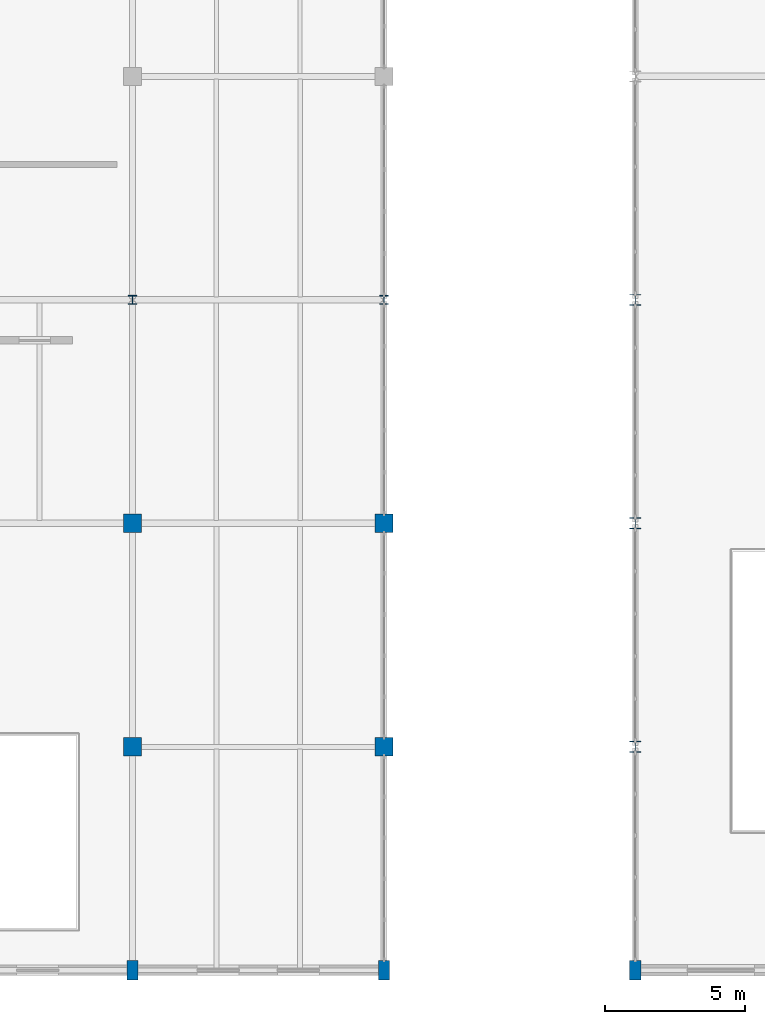
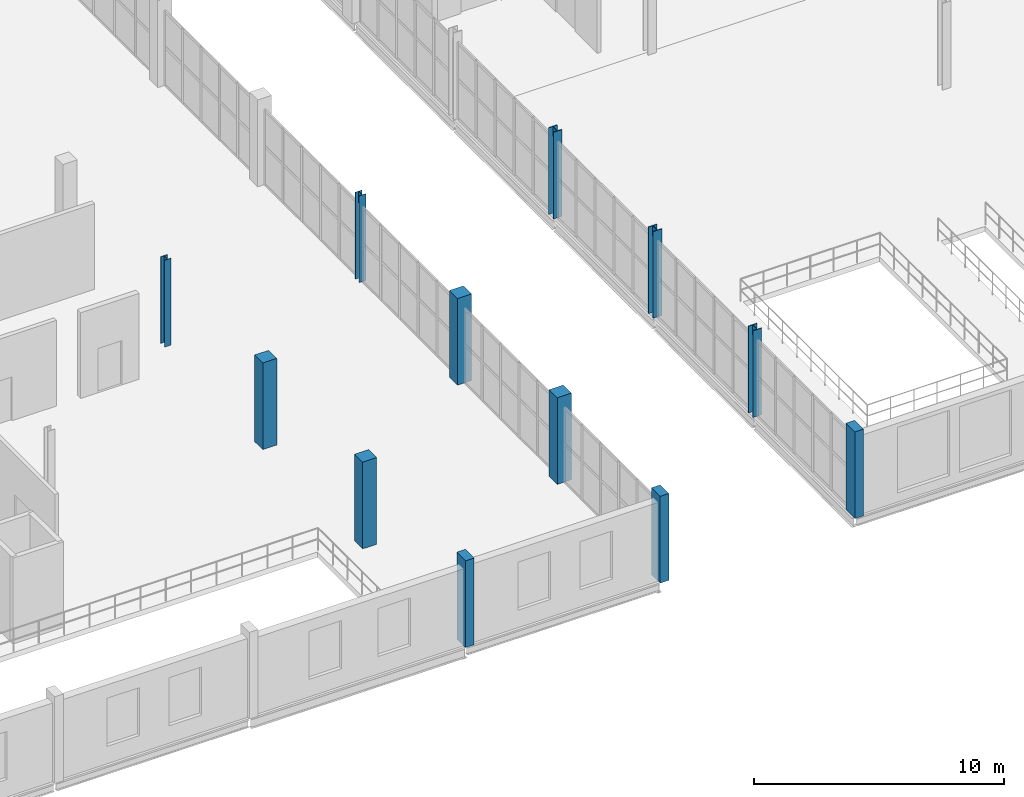
# One storey, part 2 of 85: 12 columns.
"""IFC4 building model written with IfcOpenShell, lengths in metres."""

from ifc_helpers import new_model, si_unit, direction, frame, origin, origin_2d, place, context, subcontext, project, spatial, rectangle, i_section, extrude, material, material_profile, profile_set, type_object, element, save


model = new_model("IFC4")

# Units and contexts
model_context = context("Model", 3, precision=1e-05, world=origin(), true_north=direction((0.0, 1.0)))
body_context = subcontext(model_context, "Body", "Model", "MODEL_VIEW")
ifc_project = project(units=[si_unit("LENGTHUNIT", "METRE"), si_unit("AREAUNIT", "SQUARE_METRE"), si_unit("VOLUMEUNIT", "CUBIC_METRE"), si_unit("PLANEANGLEUNIT", "RADIAN"), si_unit("MASSUNIT", "GRAM", prefix="KILO")], contexts=[model_context])

# Site, building, storey
site_placement = place(None, origin())
site = spatial("IfcSite", under=ifc_project, at=site_placement, CompositionType="ELEMENT")
building_placement = place(site_placement, origin())
building = spatial("IfcBuilding", under=site, at=building_placement, Name="Marnock Terrace Opera House", CompositionType="ELEMENT")
storey_placement = place(building_placement, frame((0.0, 0.0, 10.199951171875)))
storey = spatial("IfcBuildingStorey", under=building, at=storey_placement, Name="L02", CompositionType="ELEMENT", Elevation=10.199951171875)

# Columns
ifc_material_1 = material(Name="Concrete N40 (f'c = 40 MPa)", Category="concrete")
ifc_material_profile_1 = material_profile(ifc_material_1, rectangle(XDim=0.39990234375, YDim=0.699951171875, at=origin_2d()))
ifc_profile_set_1 = profile_set([ifc_material_profile_1], Name="Concrete N40 (f'c = 40 MPa)")
column_type_1 = type_object("IfcColumnType", Name="COL-PIL-700", PredefinedType="PILASTER", material=ifc_profile_set_1)
for number, where, z_axis, x_axis, name in (
    (1, (37.0, 8.0, 0.0), (0.0, 0.0, 1.0), (1.0, 0.0, 0.0), "L02 column at (37.0, 8.0)"),
    (2, (46.0, 8.0, 0.0), (0.0, 0.0, 1.0), (1.0, 0.0, 0.0), "L02 column at (46.0, 8.0)"),
    (3, (55.0, 8.0, 0.0), (0.0, 0.0, 1.0), (1.0, 0.0, 0.0), "L02 column at (55.0, 8.0)"),
):
    element("IfcColumn", number, at=place(storey_placement, frame(where, z_axis=z_axis, x_axis=x_axis)), inside=storey, type_object=column_type_1, Name=name, PredefinedType="PILASTER", context=body_context, shape_type="SweptSolid", body=[
        extrude(rectangle(XDim=0.39990234375, YDim=0.699951171875, at=origin_2d()), origin(), (0.0, 0.0, 1.0), 4.239990234375),
    ])
ifc_material_profile_2 = material_profile(ifc_material_1, rectangle(XDim=0.64990234375, YDim=0.64990234375, at=origin_2d()))
ifc_profile_set_2 = profile_set([ifc_material_profile_2], Name="Concrete N40 (f'c = 40 MPa)")
column_type_2 = type_object("IfcColumnType", Name="COL-RC650", PredefinedType="COLUMN", material=ifc_profile_set_2)
for number, where, z_axis, x_axis, name in (
    (4, (37.0, 16.0, 0.0), (0.0, 0.0, 1.0), (1.0, 0.0, 0.0), "L02 column at (37.0, 16.0)"),
    (5, (37.0, 24.0, 0.0), (0.0, 0.0, 1.0), (1.0, 0.0, 0.0), "L02 column at (37.0, 24.0)"),
    (6, (46.0, 16.0, 0.0), (0.0, 0.0, 1.0), (1.0, 0.0, 0.0), "L02 column at (46.0, 16.0)"),
    (7, (46.0, 24.0, 0.0), (0.0, 0.0, 1.0), (1.0, 0.0, 0.0), "L02 column at (46.0, 24.0)"),
):
    element("IfcColumn", number, at=place(storey_placement, frame(where, z_axis=z_axis, x_axis=x_axis)), inside=storey, type_object=column_type_2, Name=name, PredefinedType="COLUMN", context=body_context, shape_type="SweptSolid", body=[
        extrude(rectangle(XDim=0.64990234375, YDim=0.64990234375, at=origin_2d()), origin(), (0.0, 0.0, 1.0), 4.239990234375),
    ])
ifc_material_2 = material(Name="Steel Grade 350 (AS/NZS 3679.1)", Category="steel")
ifc_material_profile_3 = material_profile(ifc_material_2, i_section(OverallWidth=0.306884765625, OverallDepth=0.314697265625, WebThickness=0.011962890625, FlangeThickness=0.018798828125, FilletRadius=0.0166015625, at=origin_2d()))
ifc_profile_set_3 = profile_set([ifc_material_profile_3], Name="Steel Grade 350 (AS/NZS 3679.1)")
column_type_3 = type_object("IfcColumnType", Name="COL-UC310C", PredefinedType="COLUMN", material=ifc_profile_set_3)
for number, where, z_axis, x_axis, name in (
    (8, (37.0, 32.0, 0.0), (0.0, 0.0, 1.0), (1.0, 0.0, 0.0), "L02 column at (37.0, 32.0)"),
    (9, (46.0, 32.0, 0.0), (0.0, 0.0, 1.0), (1.0, 0.0, 0.0), "L02 column at (46.0, 32.0)"),
):
    element("IfcColumn", number, at=place(storey_placement, frame(where, z_axis=z_axis, x_axis=x_axis)), inside=storey, type_object=column_type_3, Name=name, PredefinedType="COLUMN", context=body_context, shape_type="SweptSolid", body=[
        extrude(i_section(OverallWidth=0.306884765625, OverallDepth=0.314697265625, WebThickness=0.011962890625, FlangeThickness=0.018798828125, FilletRadius=0.0166015625, at=origin_2d()), origin(), (0.0, 0.0, 1.0), 4.239990234375),
    ])
ifc_material_3 = material(Name="Steel Grade 350 Welded (AS/NZS 3679.2)", Category="steel")
ifc_material_profile_4 = material_profile(ifc_material_3, i_section(OverallWidth=0.39990234375, OverallDepth=0.39990234375, WebThickness=0.02001953125, FlangeThickness=0.031982421875, at=origin_2d()))
ifc_profile_set_4 = profile_set([ifc_material_profile_4], Name="Steel Grade 350 Welded (AS/NZS 3679.2)")
column_type_4 = type_object("IfcColumnType", Name="COL-WC400", PredefinedType="COLUMN", material=ifc_profile_set_4)
for number, where, z_axis, x_axis, name in (
    (10, (55.0, 16.0, 0.0), (0.0, 0.0, 1.0), (1.0, 0.0, 0.0), "L02 column at (55.0, 16.0)"),
    (11, (55.0, 24.0, 0.0), (0.0, 0.0, 1.0), (1.0, 0.0, 0.0), "L02 column at (55.0, 24.0)"),
    (12, (55.0, 32.0, 0.0), (0.0, 0.0, 1.0), (1.0, 0.0, 0.0), "L02 column at (55.0, 32.0)"),
):
    element("IfcColumn", number, at=place(storey_placement, frame(where, z_axis=z_axis, x_axis=x_axis)), inside=storey, type_object=column_type_4, Name=name, PredefinedType="COLUMN", context=body_context, shape_type="SweptSolid", body=[
        extrude(i_section(OverallWidth=0.39990234375, OverallDepth=0.39990234375, WebThickness=0.02001953125, FlangeThickness=0.031982421875, at=origin_2d()), origin(), (0.0, 0.0, 1.0), 4.239990234375),
    ])

save(model, "model.ifc")
